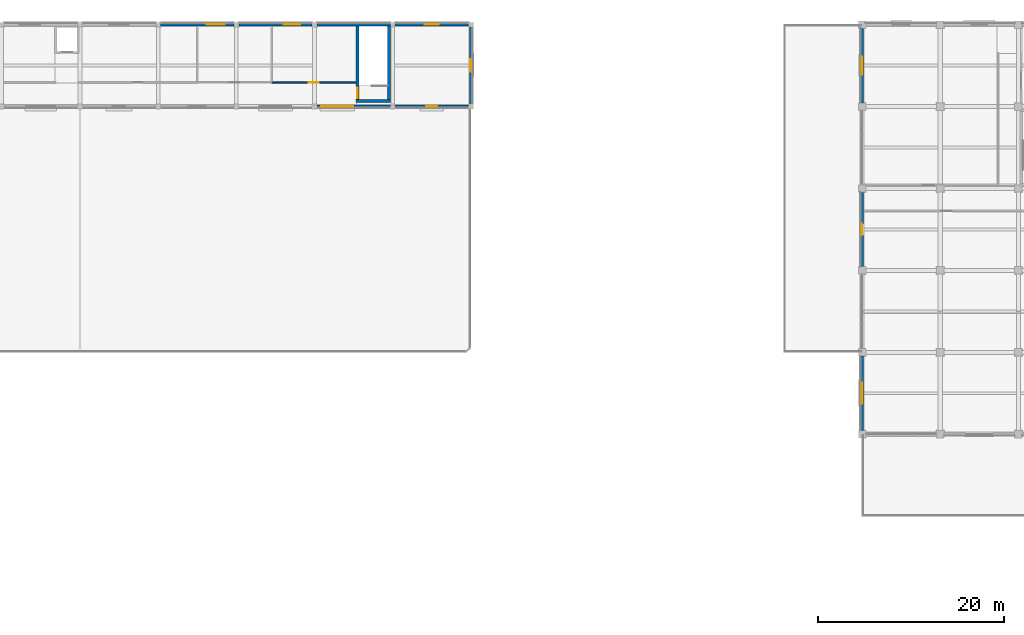
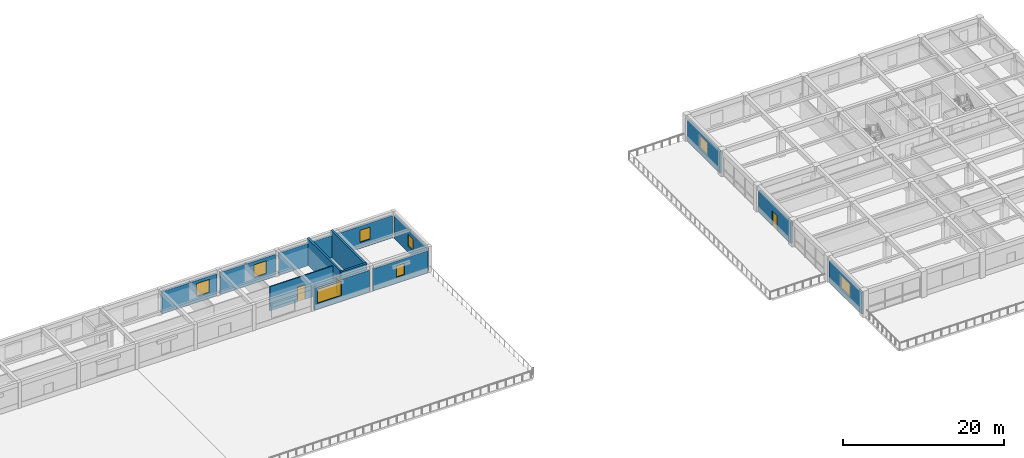
# One storey, part 36 of 49: 14 walls, 8 windows, 3 doors, 11 openings.
"""IFC4 building model written with IfcOpenShell, lengths in metres."""

from ifc_helpers import new_model, si_unit, direction, frame, frame_2d, origin, place, context, subcontext, project, spatial, rectangle, extrude, material, layer, layer_set, type_object, element, fill, save


model = new_model("IFC4")

# Units and contexts
model_context = context("Model", 3, precision=1e-05, world=origin(), true_north=direction((0.0, 1.0)))
body_context = subcontext(model_context, "Body", "Model", "MODEL_VIEW")
ifc_project = project(units=[si_unit("LENGTHUNIT", "METRE"), si_unit("AREAUNIT", "SQUARE_METRE"), si_unit("VOLUMEUNIT", "CUBIC_METRE"), si_unit("PLANEANGLEUNIT", "RADIAN"), si_unit("MASSUNIT", "GRAM", prefix="KILO")], contexts=[model_context])

# Site, building, storey
site_placement = place(None, origin())
site = spatial("IfcSite", under=ifc_project, at=site_placement, CompositionType="ELEMENT")
building_placement = place(site_placement, origin())
building = spatial("IfcBuilding", under=site, at=building_placement, Name="Kemercrest Conservatory and Botanical Centre", CompositionType="ELEMENT")
storey_placement = place(building_placement, frame((0.0, 0.0, 13.199951171875)))
storey = spatial("IfcBuildingStorey", under=building, at=storey_placement, Name="L03", CompositionType="ELEMENT", Elevation=13.199951171875)

# Walls
ifc_material_1 = material(Name="Precast concrete C40/50", Category="concrete")
ifc_layer_1 = layer(ifc_material_1, 0.300048828125)
ifc_layer_set_1 = layer_set([ifc_layer_1], Name="Precast concrete C40/50")
wall_type_1 = type_object("IfcWallType", Name="CW-EXT300", PredefinedType="SHEAR", material=ifc_layer_set_1)
wall_1_placement = place(storey_placement, frame((83.340087890625, 122.39990234375, 0.0), z_axis=(0.0, 0.0, 1.0), x_axis=(-1.0, 0.0, 0.0)))
element("IfcWall", 1, at=wall_1_placement, inside=storey, type_object=wall_type_1, Name="Exterior stair-core shear wall CW-EXT300 (WAL:L03:EXT-149)", PredefinedType="SHEAR", context=body_context, shape_type="SweptSolid", body=[
    extrude(rectangle(XDim=7.880126953125, YDim=0.300048828125, at=frame_2d((3.93994140625, 0.0))), origin(), (0.0, 0.0, 1.0), 3.35009765625),
])
ifc_material_2 = material(Name="Concrete C50/60", Category="concrete")
ifc_layer_2 = layer(ifc_material_2, 0.300048828125)
ifc_layer_set_2 = layer_set([ifc_layer_2], Name="Concrete C50/60")
wall_type_2 = type_object("IfcWallType", Name="CW-STAIR", PredefinedType="SHEAR", material=ifc_layer_set_2)
wall_2_placement = place(storey_placement, frame((79.64990234375, 114.199951171875, 0.0), z_axis=(0.0, 0.0, 1.0), x_axis=(1.0, 0.0, 0.0)))
element("IfcWall", 2, at=wall_2_placement, inside=storey, type_object=wall_type_2, Name="Stair core ST-V3B shear wall S", PredefinedType="SHEAR", context=body_context, shape_type="SweptSolid", body=[
    extrude(rectangle(XDim=3.7001953125, YDim=0.300048828125, at=frame_2d((1.85009765625, 0.0))), origin(), (0.0, 0.0, 1.0), 4.0),
])

# Wall, opening, door
wall_3_placement = place(storey_placement, frame((79.800048828125, 114.050048828125, 0.0), z_axis=(0.0, 0.0, 1.0), x_axis=(0.0, 1.0, 0.0)))
wall_3 = element("IfcWall", 3, at=wall_3_placement, inside=storey, type_object=wall_type_2, Name="Stair core ST-V3B shear wall W", PredefinedType="SHEAR", context=body_context, shape_type="SweptSolid", body=[
    extrude(rectangle(XDim=8.5, YDim=0.300048828125, at=frame_2d((4.25, 0.0))), origin(), (0.0, 0.0, 1.0), 4.0),
])
opening_1_placement = place(wall_3_placement, frame((0.449951171875, 0.0, 0.0)))
opening_1 = element("IfcOpeningElement", 4, at=opening_1_placement, cuts=wall_3, Name="Opening D024", PredefinedType="OPENING", context=body_context, shape_type="SweptSolid", body=[
    extrude(rectangle(XDim=1.10009765625, YDim=2.199951171875, at=frame_2d((0.550048828125, 1.10009765625))), frame((0.0, 0.16015625, 0.0), z_axis=(0.0, -1.0, 0.0), x_axis=(1.0, 0.0, 0.0)), (0.0, 0.0, 1.0), 0.320068359375),
])
ifc_material_3 = material(Name="Powder-coated galvanized steel and fire-rated vision glass", Category="steel")
door_type_1 = type_object("IfcDoorType", Name="DT-FD90", OperationType="NOTDEFINED", PredefinedType="DOOR", material=ifc_material_3)
door_1_placement = place(opening_1_placement, origin())
door_1 = element("IfcDoor", 5, at=door_1_placement, inside=storey, type_object=door_type_1, Name="Exit stair ST-V3B fire door D024", OperationType="SINGLE_SWING_RIGHT", OverallHeight=2.199951171875, OverallWidth=1.10009765625, PredefinedType="DOOR", context=body_context, shape_type="SweptSolid", body=[
    extrude(rectangle(XDim=1.10009765625, YDim=2.199951171875, at=frame_2d((0.550048828125, 1.10009765625))), frame((0.0, 0.02490234375, 0.0), z_axis=(0.0, -1.0, 0.0), x_axis=(1.0, 0.0, 0.0)), (0.0, 0.0, 1.0), 0.050048828125),
])
fill(opening_1, door_1)

# Wall
wall_4_placement = place(storey_placement, frame((83.199951171875, 114.050048828125, 0.0), z_axis=(0.0, 0.0, 1.0), x_axis=(0.0, 1.0, 0.0)))
element("IfcWall", 6, at=wall_4_placement, inside=storey, type_object=wall_type_2, Name="Stair core ST-V3B shear wall E", PredefinedType="SHEAR", context=body_context, shape_type="SweptSolid", body=[
    extrude(rectangle(XDim=8.5, YDim=0.300048828125, at=frame_2d((4.25, 0.0))), origin(), (0.0, 0.0, 1.0), 4.0),
])

# Wall, opening, window
ifc_layer_3 = layer(ifc_material_1, 0.300048828125)
ifc_layer_set_3 = layer_set([ifc_layer_3], Name="Precast concrete C40/50")
wall_type_3 = type_object("IfcWallType", Name="W-EXT300", PredefinedType="SOLIDWALL", material=ifc_layer_set_3)
wall_5_placement = place(storey_placement, frame((75.4599609375, 113.60009765625, 0.0), z_axis=(0.0, 0.0, 1.0), x_axis=(1.0, 0.0, 0.0)))
wall_5 = element("IfcWall", 7, at=wall_5_placement, inside=storey, type_object=wall_type_3, Name="Exterior almasik wall W-EXT300 (WAL:L03:EXT-145)", PredefinedType="SOLIDWALL", context=body_context, shape_type="SweptSolid", body=[
    extrude(rectangle(XDim=7.880126953125, YDim=0.300048828125, at=frame_2d((3.93994140625, 0.0))), origin(), (0.0, 0.0, 1.0), 3.35009765625),
])
opening_2_placement = place(wall_5_placement, frame((0.469970703125, 0.0, 0.89990234375)))
opening_2 = element("IfcOpeningElement", 8, at=opening_2_placement, cuts=wall_5, Name="Opening WT-20", PredefinedType="OPENING", context=body_context, shape_type="SweptSolid", body=[
    extrude(rectangle(XDim=3.39990234375, YDim=2.14990234375, at=frame_2d((1.699951171875, 1.074951171875))), frame((0.0, 0.16015625, 0.0), z_axis=(0.0, -1.0, 0.0), x_axis=(1.0, 0.0, 0.0)), (0.0, 0.0, 1.0), 0.320068359375),
])
ifc_material_4 = material(Name="Thermally broken bronze-anodized aluminium and triple glazing", Category="aluminium")
window_type_1 = type_object("IfcWindowType", Name="WT-20", PartitioningType="SINGLE_PANEL", PredefinedType="WINDOW", material=ifc_material_4)
window_1_placement = place(opening_2_placement, origin())
window_1 = element("IfcWindow", 9, at=window_1_placement, inside=storey, type_object=window_type_1, Name="Exterior window WT-20 (WIN:L03:EXT-145)", OverallHeight=2.14990234375, OverallWidth=3.39990234375, PartitioningType="SINGLE_PANEL", PredefinedType="WINDOW", context=body_context, shape_type="SweptSolid", body=[
    extrude(rectangle(XDim=3.39990234375, YDim=2.14990234375, at=frame_2d((1.699951171875, 1.074951171875))), frame((0.0, 0.030029296875, 0.0), z_axis=(0.0, -1.0, 0.0), x_axis=(1.0, 0.0, 0.0)), (0.0, 0.0, 1.0), 0.06005859375),
])
fill(opening_2, window_1)

wall_6_placement = place(storey_placement, frame((83.860107421875, 113.60009765625, 0.0), z_axis=(0.0, 0.0, 1.0), x_axis=(1.0, 0.0, 0.0)))
wall_6 = element("IfcWall", 10, at=wall_6_placement, inside=storey, type_object=wall_type_3, Name="Exterior almasik wall W-EXT300 (WAL:L03:EXT-146)", PredefinedType="SOLIDWALL", context=body_context, shape_type="SweptSolid", body=[
    extrude(rectangle(XDim=7.8798828125, YDim=0.300048828125, at=frame_2d((3.93994140625, 0.0))), origin(), (0.0, 0.0, 1.0), 3.35009765625),
])
opening_3_placement = place(wall_6_placement, frame((3.360107421875, 0.0, 0.89990234375)))
opening_3 = element("IfcOpeningElement", 11, at=opening_3_placement, cuts=wall_6, Name="Opening WT-45", PredefinedType="OPENING", context=body_context, shape_type="SweptSolid", body=[
    extrude(rectangle(XDim=1.159912109375, YDim=1.739990234375, at=frame_2d((0.580078125, 0.8701171875))), frame((0.0, 0.16015625, 0.0), z_axis=(0.0, -1.0, 0.0), x_axis=(1.0, 0.0, 0.0)), (0.0, 0.0, 1.0), 0.320068359375),
])
window_type_2 = type_object("IfcWindowType", Name="WT-45", PartitioningType="SINGLE_PANEL", PredefinedType="WINDOW", material=ifc_material_4)
window_2_placement = place(opening_3_placement, origin())
window_2 = element("IfcWindow", 12, at=window_2_placement, inside=storey, type_object=window_type_2, Name="Exterior window WT-45 (WIN:L03:EXT-146)", OverallHeight=1.739990234375, OverallWidth=1.159912109375, PartitioningType="SINGLE_PANEL", PredefinedType="WINDOW", context=body_context, shape_type="SweptSolid", body=[
    extrude(rectangle(XDim=1.159912109375, YDim=1.739990234375, at=frame_2d((0.580078125, 0.8701171875))), frame((0.0, 0.030029296875, 0.0), z_axis=(0.0, -1.0, 0.0), x_axis=(1.0, 0.0, 0.0)), (0.0, 0.0, 1.0), 0.06005859375),
])
fill(opening_3, window_2)

wall_7_placement = place(storey_placement, frame((92.0, 113.860107421875, 0.0), z_axis=(0.0, 0.0, 1.0), x_axis=(0.0, 1.0, 0.0)))
wall_7 = element("IfcWall", 13, at=wall_7_placement, inside=storey, type_object=wall_type_3, Name="Exterior almasik wall W-EXT300 (WAL:L03:EXT-147)", PredefinedType="SOLIDWALL", context=body_context, shape_type="SweptSolid", body=[
    extrude(rectangle(XDim=8.27978515625, YDim=0.300048828125, at=frame_2d((4.139892578125, 0.0))), origin(), (0.0, 0.0, 1.0), 3.35009765625),
])
opening_4_placement = place(wall_7_placement, frame((3.47998046875, 0.0, 0.89990234375)))
opening_4 = element("IfcOpeningElement", 14, at=opening_4_placement, cuts=wall_7, Name="Opening WT-46", PredefinedType="OPENING", context=body_context, shape_type="SweptSolid", body=[
    extrude(rectangle(XDim=1.320068359375, YDim=1.780029296875, at=frame_2d((0.66015625, 0.89013671875))), frame((0.0, 0.16015625, 0.0), z_axis=(0.0, -1.0, 0.0), x_axis=(1.0, 0.0, 0.0)), (0.0, 0.0, 1.0), 0.320068359375),
])
window_type_3 = type_object("IfcWindowType", Name="WT-46", PartitioningType="SINGLE_PANEL", PredefinedType="WINDOW", material=ifc_material_4)
window_3_placement = place(opening_4_placement, origin())
window_3 = element("IfcWindow", 15, at=window_3_placement, inside=storey, type_object=window_type_3, Name="Exterior window WT-46 (WIN:L03:EXT-147)", OverallHeight=1.780029296875, OverallWidth=1.320068359375, PartitioningType="SINGLE_PANEL", PredefinedType="WINDOW", context=body_context, shape_type="SweptSolid", body=[
    extrude(rectangle(XDim=1.320068359375, YDim=1.780029296875, at=frame_2d((0.66015625, 0.89013671875))), frame((0.0, 0.030029296875, 0.0), z_axis=(0.0, -1.0, 0.0), x_axis=(1.0, 0.0, 0.0)), (0.0, 0.0, 1.0), 0.06005859375),
])
fill(opening_4, window_3)

wall_8_placement = place(storey_placement, frame((91.739990234375, 122.39990234375, 0.0), z_axis=(0.0, 0.0, 1.0), x_axis=(-1.0, 0.0, 0.0)))
wall_8 = element("IfcWall", 16, at=wall_8_placement, inside=storey, type_object=wall_type_3, Name="Exterior almasik wall W-EXT300 (WAL:L03:EXT-148)", PredefinedType="SOLIDWALL", context=body_context, shape_type="SweptSolid", body=[
    extrude(rectangle(XDim=7.8798828125, YDim=0.300048828125, at=frame_2d((3.93994140625, 0.0))), origin(), (0.0, 0.0, 1.0), 3.35009765625),
])
opening_5_placement = place(wall_8_placement, frame((3.199951171875, 0.0, 0.89990234375)))
opening_5 = element("IfcOpeningElement", 17, at=opening_5_placement, cuts=wall_8, Name="Opening WT-47", PredefinedType="OPENING", context=body_context, shape_type="SweptSolid", body=[
    extrude(rectangle(XDim=1.47998046875, YDim=1.840087890625, at=frame_2d((0.739990234375, 0.919921875))), frame((0.0, 0.16015625, 0.0), z_axis=(0.0, -1.0, 0.0), x_axis=(1.0, 0.0, 0.0)), (0.0, 0.0, 1.0), 0.320068359375),
])
window_type_4 = type_object("IfcWindowType", Name="WT-47", PartitioningType="SINGLE_PANEL", PredefinedType="WINDOW", material=ifc_material_4)
window_4_placement = place(opening_5_placement, origin())
window_4 = element("IfcWindow", 18, at=window_4_placement, inside=storey, type_object=window_type_4, Name="Exterior window WT-47 (WIN:L03:EXT-148)", OverallHeight=1.840087890625, OverallWidth=1.47998046875, PartitioningType="SINGLE_PANEL", PredefinedType="WINDOW", context=body_context, shape_type="SweptSolid", body=[
    extrude(rectangle(XDim=1.47998046875, YDim=1.840087890625, at=frame_2d((0.739990234375, 0.919921875))), frame((0.0, 0.030029296875, 0.0), z_axis=(0.0, -1.0, 0.0), x_axis=(1.0, 0.0, 0.0)), (0.0, 0.0, 1.0), 0.06005859375),
])
fill(opening_5, window_4)

wall_9_placement = place(storey_placement, frame((74.93994140625, 122.39990234375, 0.0), z_axis=(0.0, 0.0, 1.0), x_axis=(-1.0, 0.0, 0.0)))
wall_9 = element("IfcWall", 19, at=wall_9_placement, inside=storey, type_object=wall_type_3, Name="Exterior almasik wall W-EXT300 (WAL:L03:EXT-150)", PredefinedType="SOLIDWALL", context=body_context, shape_type="SweptSolid", body=[
    extrude(rectangle(XDim=7.8798828125, YDim=0.300048828125, at=frame_2d((3.93994140625, 0.0))), origin(), (0.0, 0.0, 1.0), 3.35009765625),
])
opening_6_placement = place(wall_9_placement, frame((1.2900390625, 0.0, 0.89990234375)))
opening_6 = element("IfcOpeningElement", 20, at=opening_6_placement, cuts=wall_9, Name="Opening WT-49", PredefinedType="OPENING", context=body_context, shape_type="SweptSolid", body=[
    extrude(rectangle(XDim=1.760009765625, YDim=1.93994140625, at=frame_2d((0.8798828125, 0.969970703125))), frame((0.0, 0.16015625, 0.0), z_axis=(0.0, -1.0, 0.0), x_axis=(1.0, 0.0, 0.0)), (0.0, 0.0, 1.0), 0.320068359375),
])
window_type_5 = type_object("IfcWindowType", Name="WT-49", PartitioningType="SINGLE_PANEL", PredefinedType="WINDOW", material=ifc_material_4)
window_5_placement = place(opening_6_placement, origin())
window_5 = element("IfcWindow", 21, at=window_5_placement, inside=storey, type_object=window_type_5, Name="Exterior window WT-49 (WIN:L03:EXT-150)", OverallHeight=1.93994140625, OverallWidth=1.760009765625, PartitioningType="SINGLE_PANEL", PredefinedType="WINDOW", context=body_context, shape_type="SweptSolid", body=[
    extrude(rectangle(XDim=1.760009765625, YDim=1.93994140625, at=frame_2d((0.8798828125, 0.969970703125))), frame((0.0, 0.030029296875, 0.0), z_axis=(0.0, -1.0, 0.0), x_axis=(1.0, 0.0, 0.0)), (0.0, 0.0, 1.0), 0.06005859375),
])
fill(opening_6, window_5)

wall_10_placement = place(storey_placement, frame((66.5400390625, 122.39990234375, 0.0), z_axis=(0.0, 0.0, 1.0), x_axis=(-1.0, 0.0, 0.0)))
wall_10 = element("IfcWall", 22, at=wall_10_placement, inside=storey, type_object=wall_type_3, Name="Exterior almasik wall W-EXT300 (WAL:L03:EXT-151)", PredefinedType="SOLIDWALL", context=body_context, shape_type="SweptSolid", body=[
    extrude(rectangle(XDim=7.880126953125, YDim=0.300048828125, at=frame_2d((3.93994140625, 0.0))), origin(), (0.0, 0.0, 1.0), 3.35009765625),
])
opening_7_placement = place(wall_10_placement, frame((1.010009765625, 0.0, 0.89990234375)))
opening_7 = element("IfcOpeningElement", 23, at=opening_7_placement, cuts=wall_10, Name="Opening WT-50", PredefinedType="OPENING", context=body_context, shape_type="SweptSolid", body=[
    extrude(rectangle(XDim=1.919921875, YDim=1.97998046875, at=frame_2d((0.9599609375, 0.989990234375))), frame((0.0, 0.16015625, 0.0), z_axis=(0.0, -1.0, 0.0), x_axis=(1.0, 0.0, 0.0)), (0.0, 0.0, 1.0), 0.320068359375),
])
window_type_6 = type_object("IfcWindowType", Name="WT-50", PartitioningType="SINGLE_PANEL", PredefinedType="WINDOW", material=ifc_material_4)
window_6_placement = place(opening_7_placement, origin())
window_6 = element("IfcWindow", 24, at=window_6_placement, inside=storey, type_object=window_type_6, Name="Exterior window WT-50 (WIN:L03:EXT-151)", OverallHeight=1.97998046875, OverallWidth=1.919921875, PartitioningType="SINGLE_PANEL", PredefinedType="WINDOW", context=body_context, shape_type="SweptSolid", body=[
    extrude(rectangle(XDim=1.919921875, YDim=1.97998046875, at=frame_2d((0.9599609375, 0.989990234375))), frame((0.0, 0.030029296875, 0.0), z_axis=(0.0, -1.0, 0.0), x_axis=(1.0, 0.0, 0.0)), (0.0, 0.0, 1.0), 0.06005859375),
])
fill(opening_7, window_6)

wall_11_placement = place(storey_placement, frame((134.0, 121.989990234375, 0.0), z_axis=(0.0, 0.0, 1.0), x_axis=(0.0, -1.0, 0.0)))
wall_11 = element("IfcWall", 25, at=wall_11_placement, inside=storey, type_object=wall_type_3, Name="Exterior almasik wall W-EXT300 (WAL:L03:EXT-221)", PredefinedType="SOLIDWALL", context=body_context, shape_type="SweptSolid", body=[
    extrude(rectangle(XDim=7.97998046875, YDim=0.300048828125, at=frame_2d((3.989990234375, 0.0))), origin(), (0.0, 0.0, 1.0), 3.25),
])
opening_8_placement = place(wall_11_placement, frame((3.014892578125, 0.0, 0.89990234375)))
opening_8 = element("IfcOpeningElement", 26, at=opening_8_placement, cuts=wall_11, Name="Opening WT-06", PredefinedType="OPENING", context=body_context, shape_type="SweptSolid", body=[
    extrude(rectangle(XDim=1.949951171875, YDim=1.89990234375, at=frame_2d((0.97509765625, 0.949951171875))), frame((0.0, 0.16015625, 0.0), z_axis=(0.0, -1.0, 0.0), x_axis=(1.0, 0.0, 0.0)), (0.0, 0.0, 1.0), 0.320068359375),
])
window_type_7 = type_object("IfcWindowType", Name="WT-06", PartitioningType="SINGLE_PANEL", PredefinedType="WINDOW", material=ifc_material_4)
window_7_placement = place(opening_8_placement, origin())
window_7 = element("IfcWindow", 27, at=window_7_placement, inside=storey, type_object=window_type_7, Name="Exterior window WT-06 (WIN:L03:EXT-221)", OverallHeight=1.89990234375, OverallWidth=1.949951171875, PartitioningType="SINGLE_PANEL", PredefinedType="WINDOW", context=body_context, shape_type="SweptSolid", body=[
    extrude(rectangle(XDim=1.949951171875, YDim=1.89990234375, at=frame_2d((0.97509765625, 0.949951171875))), frame((0.0, 0.030029296875, 0.0), z_axis=(0.0, -1.0, 0.0), x_axis=(1.0, 0.0, 0.0)), (0.0, 0.0, 1.0), 0.06005859375),
])
fill(opening_8, window_7)

# Wall, opening, door
wall_12_placement = place(storey_placement, frame((134.0, 104.389892578125, 0.0), z_axis=(0.0, 0.0, 1.0), x_axis=(0.0, -1.0, 0.0)))
wall_12 = element("IfcWall", 28, at=wall_12_placement, inside=storey, type_object=wall_type_3, Name="Exterior almasik wall W-EXT300 (WAL:L03:EXT-222)", PredefinedType="SOLIDWALL", context=body_context, shape_type="SweptSolid", body=[
    extrude(rectangle(XDim=7.97998046875, YDim=0.300048828125, at=frame_2d((3.989990234375, 0.0))), origin(), (0.0, 0.0, 1.0), 3.25),
])
opening_9_placement = place(wall_12_placement, frame((3.389892578125, 0.0, 0.0)))
opening_9 = element("IfcOpeningElement", 29, at=opening_9_placement, cuts=wall_12, Name="Opening ED043", PredefinedType="OPENING", context=body_context, shape_type="SweptSolid", body=[
    extrude(rectangle(XDim=1.199951171875, YDim=2.25, at=frame_2d((0.60009765625, 1.125))), frame((0.0, 0.16015625, 0.0), z_axis=(0.0, -1.0, 0.0), x_axis=(1.0, 0.0, 0.0)), (0.0, 0.0, 1.0), 0.320068359375),
])
ifc_material_5 = material(Name="Thermally broken bronze-anodized aluminium and laminated safety glass", Category="aluminium")
door_type_2 = type_object("IfcDoorType", Name="DT-E04", OperationType="NOTDEFINED", PredefinedType="DOOR", material=ifc_material_5)
door_2_placement = place(opening_9_placement, frame((1.199951171875, 0.0, 0.0), z_axis=(0.0, 0.0, 1.0), x_axis=(-1.0, 0.0, 0.0)))
door_2 = element("IfcDoor", 30, at=door_2_placement, inside=storey, type_object=door_type_2, Name="West Botanical Setback Terrace Door", OperationType="SINGLE_SWING_RIGHT", OverallHeight=2.25, OverallWidth=1.199951171875, PredefinedType="DOOR", context=body_context, shape_type="SweptSolid", body=[
    extrude(rectangle(XDim=1.199951171875, YDim=2.25, at=frame_2d((0.60009765625, 1.125))), frame((0.0, 0.02490234375, 0.0), z_axis=(0.0, -1.0, 0.0), x_axis=(1.0, 0.0, 0.0)), (0.0, 0.0, 1.0), 0.050048828125),
])
fill(opening_9, door_2)

# Wall, opening, window
wall_13_placement = place(storey_placement, frame((134.0, 86.7900390625, 0.0), z_axis=(0.0, 0.0, 1.0), x_axis=(0.0, -1.0, 0.0)))
wall_13 = element("IfcWall", 31, at=wall_13_placement, inside=storey, type_object=wall_type_3, Name="Exterior almasik wall W-EXT300 (WAL:L03:EXT-223)", PredefinedType="SOLIDWALL", context=body_context, shape_type="SweptSolid", body=[
    extrude(rectangle(XDim=7.97998046875, YDim=0.300048828125, at=frame_2d((3.989990234375, 0.0))), origin(), (0.0, 0.0, 1.0), 3.25),
])
opening_10_placement = place(wall_13_placement, frame((2.864990234375, 0.0, 0.89990234375)))
opening_10 = element("IfcOpeningElement", 32, at=opening_10_placement, cuts=wall_13, Name="Opening WT-08", PredefinedType="OPENING", context=body_context, shape_type="SweptSolid", body=[
    extrude(rectangle(XDim=2.25, YDim=1.949951171875, at=frame_2d((1.125, 0.97509765625))), frame((0.0, 0.16015625, 0.0), z_axis=(0.0, -1.0, 0.0), x_axis=(1.0, 0.0, 0.0)), (0.0, 0.0, 1.0), 0.320068359375),
])
window_type_8 = type_object("IfcWindowType", Name="WT-08", PartitioningType="SINGLE_PANEL", PredefinedType="WINDOW", material=ifc_material_4)
window_8_placement = place(opening_10_placement, origin())
window_8 = element("IfcWindow", 33, at=window_8_placement, inside=storey, type_object=window_type_8, Name="Exterior window WT-08 (WIN:L03:EXT-223)", OverallHeight=1.949951171875, OverallWidth=2.25, PartitioningType="SINGLE_PANEL", PredefinedType="WINDOW", context=body_context, shape_type="SweptSolid", body=[
    extrude(rectangle(XDim=2.25, YDim=1.949951171875, at=frame_2d((1.125, 0.97509765625))), frame((0.0, 0.030029296875, 0.0), z_axis=(0.0, -1.0, 0.0), x_axis=(1.0, 0.0, 0.0)), (0.0, 0.0, 1.0), 0.06005859375),
])
fill(opening_10, window_8)

# Wall, opening, door
ifc_material_6 = material(Name="Steel-stud gypsum board partition", Category="steel")
ifc_layer_4 = layer(ifc_material_6, 0.14990234375)
ifc_layer_set_4 = layer_set([ifc_layer_4], Name="Steel-stud gypsum board partition")
wall_type_4 = type_object("IfcWallType", Name="W-PART150", PredefinedType="PARTITIONING", material=ifc_layer_set_4)
wall_14_placement = place(storey_placement, frame((70.60009765625, 116.199951171875, 0.0), z_axis=(0.0, 0.0, 1.0), x_axis=(1.0, 0.0, 0.0)))
wall_14 = element("IfcWall", 34, at=wall_14_placement, inside=storey, type_object=wall_type_4, Name="Interior partition W-PART150 #142", PredefinedType="PARTITIONING", context=body_context, shape_type="SweptSolid", body=[
    extrude(rectangle(XDim=9.044921875, YDim=0.14990234375, at=frame_2d((4.5224609375, 0.0))), origin(), (0.0, 0.0, 1.0), 3.6650390625),
])
opening_11_placement = place(wall_14_placement, frame((3.992431640625, 0.0, 0.0)))
opening_11 = element("IfcOpeningElement", 35, at=opening_11_placement, cuts=wall_14, Name="Opening D188", PredefinedType="OPENING", context=body_context, shape_type="SweptSolid", body=[
    extrude(rectangle(XDim=1.06005859375, YDim=2.219970703125, at=frame_2d((0.530029296875, 1.10986328125))), frame((0.0, 0.0849609375, 0.0), z_axis=(0.0, -1.0, 0.0), x_axis=(1.0, 0.0, 0.0)), (0.0, 0.0, 1.0), 0.169921875),
])
ifc_material_7 = material(Name="FSC solid-core white oak veneer and anodized aluminium frame", Category="aluminium")
door_type_3 = type_object("IfcDoorType", Name="DT-35", OperationType="NOTDEFINED", PredefinedType="DOOR", material=ifc_material_7)
door_3_placement = place(opening_11_placement, origin())
door_3 = element("IfcDoor", 36, at=door_3_placement, inside=storey, type_object=door_type_3, Name="Botanical Reading Room door D188", OperationType="SINGLE_SWING_RIGHT", OverallHeight=2.219970703125, OverallWidth=1.06005859375, PredefinedType="DOOR", context=body_context, shape_type="SweptSolid", body=[
    extrude(rectangle(XDim=1.06005859375, YDim=2.219970703125, at=frame_2d((0.530029296875, 1.10986328125))), frame((0.0, 0.02490234375, 0.0), z_axis=(0.0, -1.0, 0.0), x_axis=(1.0, 0.0, 0.0)), (0.0, 0.0, 1.0), 0.050048828125),
])
fill(opening_11, door_3)

save(model, "model.ifc")
